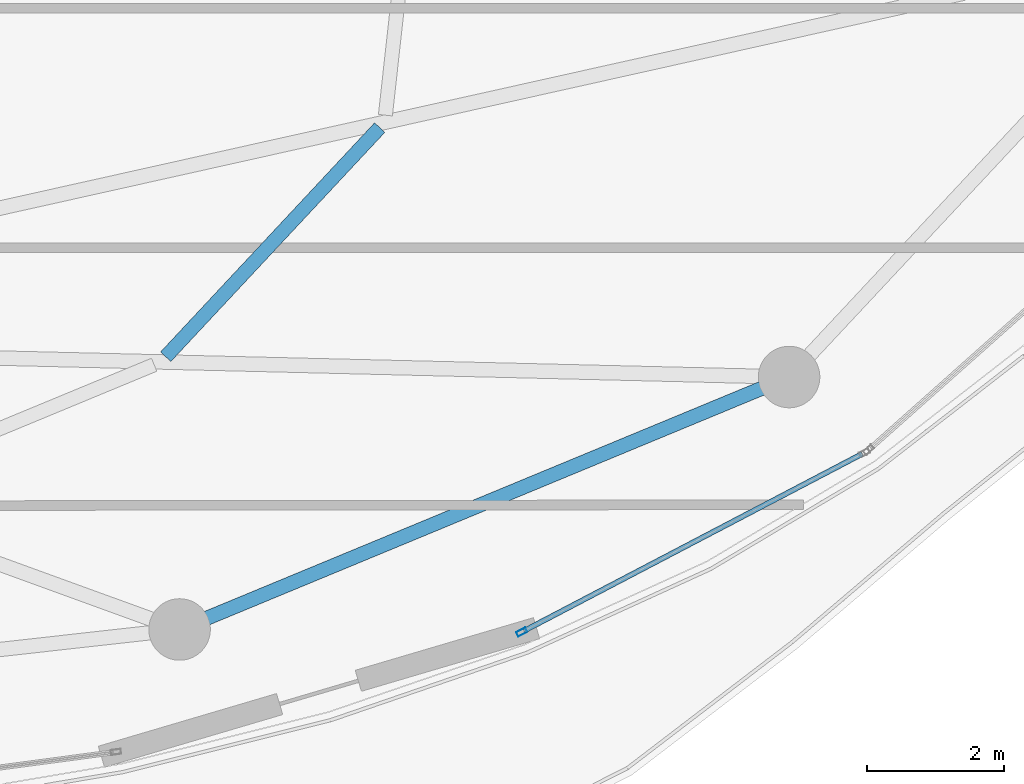
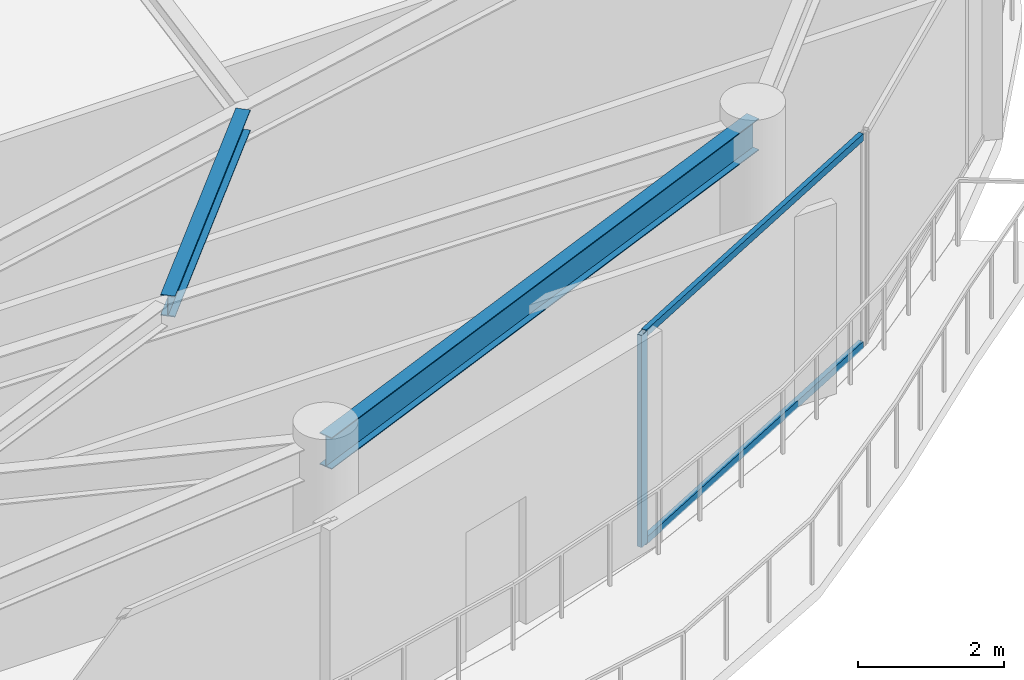
# One storey, part 13 of 29: 3 members, 2 beams, 1 element without a shape of its own.
"""IFC4 building model written with IfcOpenShell, lengths in metres."""

from ifc_helpers import new_model, si_unit, direction, frame, origin, origin_2d, place, context, subcontext, project, spatial, hollow_rectangle, i_section, extrude, material, layer, layer_set, material_profile, profile_set, type_object, element, aggregate, save


model = new_model("IFC4")

# Units and contexts
model_context = context("Model", 3, precision=1e-05, world=origin(), true_north=direction((0.0, 1.0)))
body_context = subcontext(model_context, "Body", "Model", "MODEL_VIEW")
ifc_project = project(units=[si_unit("LENGTHUNIT", "METRE"), si_unit("AREAUNIT", "SQUARE_METRE"), si_unit("VOLUMEUNIT", "CUBIC_METRE"), si_unit("PLANEANGLEUNIT", "RADIAN"), si_unit("MASSUNIT", "GRAM", prefix="KILO")], contexts=[model_context])

# Site, building, storey
site_placement = place(None, origin())
site = spatial("IfcSite", under=ifc_project, at=site_placement, CompositionType="ELEMENT")
building_placement = place(site_placement, origin())
building = spatial("IfcBuilding", under=site, at=building_placement, Name="Kazevale Care Tower and Concert Hall", CompositionType="ELEMENT")
storey_placement = place(building_placement, frame((0.0, 0.0, 281.39990234375)))
storey = spatial("IfcBuildingStorey", under=building, at=storey_placement, Name="L74", CompositionType="ELEMENT", Elevation=281.39990234375)

# Curtain wall, members
ifc_material_1 = material(Name="Aluminium 6063-T6 and Low-E Glass", Category="aluminium")
ifc_layer = layer(ifc_material_1, 0.179931640625)
ifc_layer_set = layer_set([ifc_layer], Name="Aluminium 6063-T6 and Low-E Glass")
curtain_wall_type = type_object("IfcCurtainWallType", Name="Sheltered Concave Balcony Curtain Wall CW-5", PredefinedType="NOTDEFINED", material=ifc_layer_set)
curtain_wall_placement = place(storey_placement, origin())
curtain_wall = element("IfcCurtainWall", 1, at=curtain_wall_placement, inside=storey, type_object=curtain_wall_type, Name="cw:L74:f03", PredefinedType="NOTDEFINED")
ifc_material_2 = material(Name="Aluminium 6063-T6", Category="aluminium")
ifc_material_profile_1 = material_profile(ifc_material_2, hollow_rectangle(XDim=0.074951171875, YDim=0.14990234375, WallThickness=0.00390625, at=origin_2d()), Name="ALU75x150x4")
ifc_profile_set_1 = profile_set([ifc_material_profile_1], Name="Aluminium 6063-T6")
member_type_1 = type_object("IfcMemberType", Name="CW-5 Mullion ALU75x150x4", PredefinedType="MULLION", material=ifc_profile_set_1)
member_1_placement = place(storey_placement, frame((60.502197265625, 19.38232421875, 0.0), z_axis=(0.0, 0.0, 1.0), x_axis=(0.463680915912, -0.886002261972, 0.0)))
member_1 = element("IfcMember", 2, at=member_1_placement, type_object=member_type_1, Name="CW-5 mullion 2", PredefinedType="MULLION", context=body_context, shape_type="SweptSolid", body=[
    extrude(hollow_rectangle(XDim=0.074951171875, YDim=0.14990234375, WallThickness=0.00390625, at=origin_2d()), origin(), (0.0, 0.0, 1.0), 3.56005859375),
])
ifc_material_profile_2 = material_profile(ifc_material_2, hollow_rectangle(XDim=0.074951171875, YDim=0.1201171875, WallThickness=0.00390625, at=origin_2d()), Name="ALU75x120x4")
ifc_profile_set_2 = profile_set([ifc_material_profile_2], Name="Aluminium 6063-T6")
member_type_2 = type_object("IfcMemberType", Name="CW-5 Transom ALU75x120x4", PredefinedType="USERDEFINED", material=ifc_profile_set_2)
member_2_placement = place(storey_placement, frame((65.4794921875, 21.9873046875, 0.03759765625), z_axis=(-0.885987336027, -0.463709435314, 0.0), x_axis=(0.463709435314, -0.885987336027, 0.0)))
member_2 = element("IfcMember", 3, at=member_2_placement, type_object=member_type_2, Name="CW-5 transom 1.1", ObjectType="TRANSOM", PredefinedType="USERDEFINED", context=body_context, shape_type="SweptSolid", body=[
    extrude(hollow_rectangle(XDim=0.074951171875, YDim=0.1201171875, WallThickness=0.00390625, at=origin_2d()), origin(), (0.0, 0.0, 1.0), 5.580322265625),
])
member_3_placement = place(storey_placement, frame((65.4794921875, 21.9873046875, 3.522705078125), z_axis=(-0.885987336027, -0.463709435314, 0.0), x_axis=(0.463709435314, -0.885987336027, 0.0)))
member_3 = element("IfcMember", 4, at=member_3_placement, type_object=member_type_2, Name="CW-5 transom 1.2", ObjectType="TRANSOM", PredefinedType="USERDEFINED", context=body_context, shape_type="SweptSolid", body=[
    extrude(hollow_rectangle(XDim=0.074951171875, YDim=0.1201171875, WallThickness=0.00390625, at=origin_2d()), origin(), (0.0, 0.0, 1.0), 5.580322265625),
])
aggregate(curtain_wall, [member_1, member_2, member_3])

# Beams
ifc_material_3 = material(Name="Steel ASTM A572 Gr 50", Category="steel")
ifc_material_profile_3 = material_profile(ifc_material_3, i_section(OverallWidth=0.205078125, OverallDepth=0.35400390625, WebThickness=0.009521484375, FlangeThickness=0.016845703125, at=origin_2d()), Name="W360x79")
ifc_profile_set_3 = profile_set([ifc_material_profile_3], Name="Steel ASTM A572 Gr 50")
beam_type_1 = type_object("IfcBeamType", Name="Secondary Floor Joist W360x79", PredefinedType="JOIST", material=ifc_profile_set_3)
beam_1_placement = place(storey_placement, frame((55.297119140625, 23.406982421875, 3.383056640625), z_axis=(0.682568692562, 0.730821441896, 0.0), x_axis=(-0.730821441896, 0.682568692562, 0.0)))
element("IfcBeam", 5, at=beam_1_placement, inside=storey, type_object=beam_type_1, Name="beam:L74:joist:15", PredefinedType="JOIST", context=body_context, shape_type="SweptSolid", body=[
    extrude(i_section(OverallWidth=0.205078125, OverallDepth=0.35400390625, WebThickness=0.009521484375, FlangeThickness=0.016845703125, at=origin_2d()), origin(), (0.0, 0.0, 1.0), 4.583984375),
])
ifc_material_profile_4 = material_profile(ifc_material_3, i_section(OverallWidth=0.208984375, OverallDepth=0.532958984375, WebThickness=0.01025390625, FlangeThickness=0.015625, at=origin_2d()), Name="W530x92")
ifc_profile_set_4 = profile_set([ifc_material_profile_4], Name="Steel ASTM A572 Gr 50")
beam_type_2 = type_object("IfcBeamType", Name="Upper Ring Beam W530x92", PredefinedType="BEAM", material=ifc_profile_set_4)
beam_2_placement = place(storey_placement, frame((55.5, 19.419921875, 3.293701171875), z_axis=(0.923894961945, 0.382646180293, 0.0), x_axis=(-0.382646180293, 0.923894961945, 0.0)))
element("IfcBeam", 6, at=beam_2_placement, inside=storey, type_object=beam_type_2, Name="beam:L74:ring:14", PredefinedType="BEAM", context=body_context, shape_type="SweptSolid", body=[
    extrude(i_section(OverallWidth=0.208984375, OverallDepth=0.532958984375, WebThickness=0.01025390625, FlangeThickness=0.015625, at=origin_2d()), origin(), (0.0, 0.0, 1.0), 9.643798828125),
])

save(model, "model.ifc")
